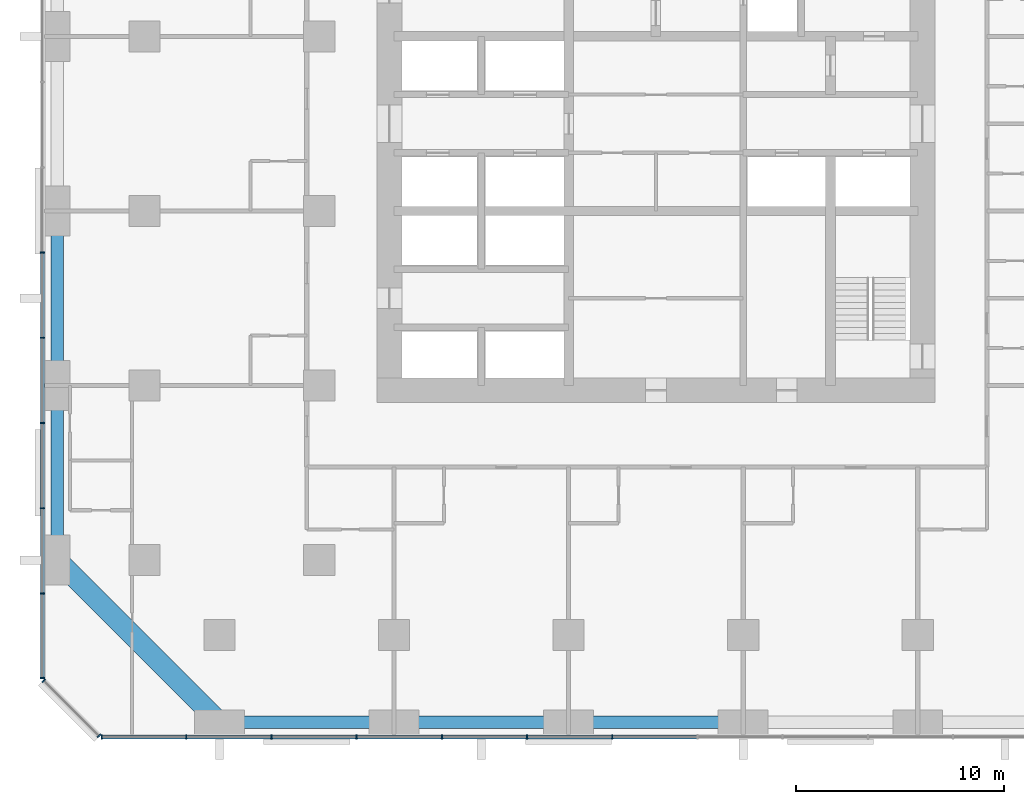
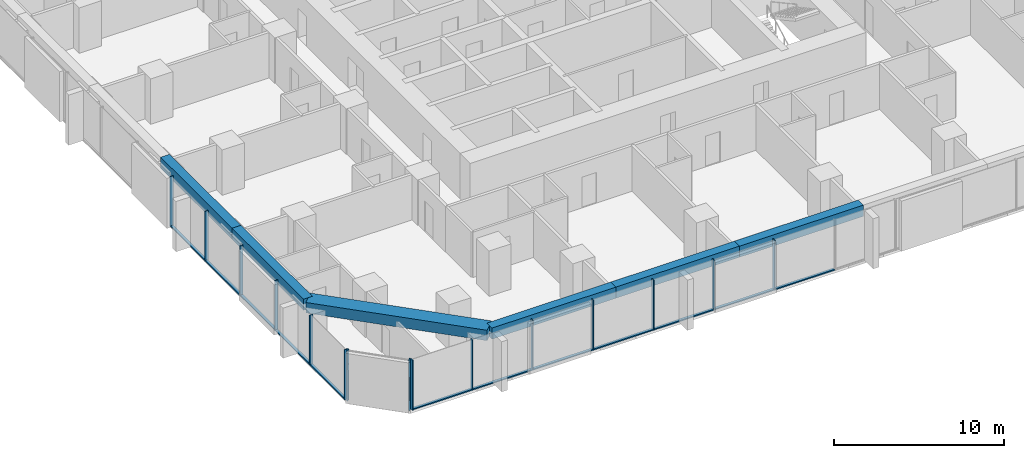
# One storey, part 2 of 13: 27 members, 6 beams, 3 elements without a shape of their own.
"""IFC4 building model written with IfcOpenShell, lengths in metres."""

from ifc_helpers import new_model, si_unit, direction, frame, origin, origin_2d, place, context, subcontext, project, spatial, rectangle, extrude, material, material_profile, profile_set, type_object, element, aggregate, save


model = new_model("IFC4")

# Units and contexts
model_context = context("Model", 3, precision=1e-05, world=origin(), true_north=direction((0.0, 1.0)))
body_context = subcontext(model_context, "Body", "Model", "MODEL_VIEW")
ifc_project = project(units=[si_unit("LENGTHUNIT", "METRE"), si_unit("AREAUNIT", "SQUARE_METRE"), si_unit("VOLUMEUNIT", "CUBIC_METRE"), si_unit("PLANEANGLEUNIT", "RADIAN"), si_unit("MASSUNIT", "GRAM", prefix="KILO")], contexts=[model_context])

# Site, building, storey
site_placement = place(None, origin())
site = spatial("IfcSite", under=ifc_project, at=site_placement, CompositionType="ELEMENT")
building_placement = place(site_placement, origin())
building = spatial("IfcBuilding", under=site, at=building_placement, Name="Dunama Terrace Hotel", CompositionType="ELEMENT")
storey_placement = place(building_placement, frame((0.0, 0.0, 111.60009765625)))
storey = spatial("IfcBuildingStorey", under=building, at=storey_placement, Name="L28", CompositionType="ELEMENT", Elevation=111.60009765625)

# Curtain wall, members
ifc_material_1 = material(Name="Aluminium curtain wall system", Category="aluminium")
curtain_wall_type = type_object("IfcCurtainWallType", Name="Unitised fritted glass wall CW-B", PredefinedType="NOTDEFINED", material=ifc_material_1)
curtain_wall_1_placement = place(storey_placement, origin())
curtain_wall_1 = element("IfcCurtainWall", 1, at=curtain_wall_1_placement, inside=storey, type_object=curtain_wall_type, Name="Unitised fritted glass wall CW-B L28", PredefinedType="NOTDEFINED")
ifc_material_2 = material(Name="Aluminium mullion", Category="aluminium")
ifc_material_profile_1 = material_profile(ifc_material_2, rectangle(XDim=0.06494140625, YDim=0.219970703125, at=origin_2d()), Name="CWB MULLION 65X220")
ifc_profile_set_1 = profile_set([ifc_material_profile_1], Name="Aluminium mullion")
member_type_1 = type_object("IfcMemberType", Name="CWB mullion 65x220", PredefinedType="MULLION", material=ifc_profile_set_1)
member_1_placement = place(storey_placement, frame((2.73291015625, -0.110107421875, 0.0), z_axis=(0.0, 0.0, 1.0), x_axis=(1.0, 0.0, 0.0)))
member_1 = element("IfcMember", 2, at=member_1_placement, type_object=member_type_1, Name="CWB mullion", PredefinedType="MULLION", context=body_context, shape_type="SweptSolid", body=[
    extrude(rectangle(XDim=0.06494140625, YDim=0.219970703125, at=origin_2d()), origin(), (0.0, 0.0, 1.0), 3.599853515625),
])
member_2_placement = place(storey_placement, frame((6.800048828125, -0.110107421875, 0.0), z_axis=(0.0, 0.0, 1.0), x_axis=(1.0, 0.0, 0.0)))
member_2 = element("IfcMember", 3, at=member_2_placement, type_object=member_type_1, Name="CWB mullion", PredefinedType="MULLION", context=body_context, shape_type="SweptSolid", body=[
    extrude(rectangle(XDim=0.06494140625, YDim=0.219970703125, at=origin_2d()), origin(), (0.0, 0.0, 1.0), 3.599853515625),
])
member_3_placement = place(storey_placement, frame((10.89990234375, -0.110107421875, 0.0), z_axis=(0.0, 0.0, 1.0), x_axis=(1.0, 0.0, 0.0)))
member_3 = element("IfcMember", 4, at=member_3_placement, type_object=member_type_1, Name="CWB mullion", PredefinedType="MULLION", context=body_context, shape_type="SweptSolid", body=[
    extrude(rectangle(XDim=0.06494140625, YDim=0.219970703125, at=origin_2d()), origin(), (0.0, 0.0, 1.0), 3.599853515625),
])
member_4_placement = place(storey_placement, frame((15.0, -0.110107421875, 0.0), z_axis=(0.0, 0.0, 1.0), x_axis=(1.0, 0.0, 0.0)))
member_4 = element("IfcMember", 5, at=member_4_placement, type_object=member_type_1, Name="CWB mullion", PredefinedType="MULLION", context=body_context, shape_type="SweptSolid", body=[
    extrude(rectangle(XDim=0.06494140625, YDim=0.219970703125, at=origin_2d()), origin(), (0.0, 0.0, 1.0), 3.599853515625),
])
member_5_placement = place(storey_placement, frame((19.10009765625, -0.110107421875, 0.0), z_axis=(0.0, 0.0, 1.0), x_axis=(1.0, 0.0, 0.0)))
member_5 = element("IfcMember", 6, at=member_5_placement, type_object=member_type_1, Name="CWB mullion", PredefinedType="MULLION", context=body_context, shape_type="SweptSolid", body=[
    extrude(rectangle(XDim=0.06494140625, YDim=0.219970703125, at=origin_2d()), origin(), (0.0, 0.0, 1.0), 3.599853515625),
])
member_6_placement = place(storey_placement, frame((23.199951171875, -0.110107421875, 0.0), z_axis=(0.0, 0.0, 1.0), x_axis=(1.0, 0.0, 0.0)))
member_6 = element("IfcMember", 7, at=member_6_placement, type_object=member_type_1, Name="CWB mullion", PredefinedType="MULLION", context=body_context, shape_type="SweptSolid", body=[
    extrude(rectangle(XDim=0.06494140625, YDim=0.219970703125, at=origin_2d()), origin(), (0.0, 0.0, 1.0), 3.599853515625),
])
member_7_placement = place(storey_placement, frame((27.300048828125, -0.110107421875, 0.0), z_axis=(0.0, 0.0, 1.0), x_axis=(1.0, 0.0, 0.0)))
member_7 = element("IfcMember", 8, at=member_7_placement, type_object=member_type_1, Name="CWB mullion", PredefinedType="MULLION", context=body_context, shape_type="SweptSolid", body=[
    extrude(rectangle(XDim=0.06494140625, YDim=0.219970703125, at=origin_2d()), origin(), (0.0, 0.0, 1.0), 3.599853515625),
])

curtain_wall_2_placement = place(storey_placement, origin())
curtain_wall_2 = element("IfcCurtainWall", 9, at=curtain_wall_2_placement, inside=storey, type_object=curtain_wall_type, Name="Unitised fritted glass wall CW-B L28", PredefinedType="NOTDEFINED")
member_8_placement = place(storey_placement, frame((-0.110107421875, 23.199951171875, 0.0), z_axis=(0.0, 0.0, 1.0), x_axis=(0.0, -1.0, 0.0)))
member_8 = element("IfcMember", 10, at=member_8_placement, type_object=member_type_1, Name="CWB mullion", PredefinedType="MULLION", context=body_context, shape_type="SweptSolid", body=[
    extrude(rectangle(XDim=0.06494140625, YDim=0.219970703125, at=origin_2d()), origin(), (0.0, 0.0, 1.0), 3.599853515625),
])
member_9_placement = place(storey_placement, frame((-0.110107421875, 19.10009765625, 0.0), z_axis=(0.0, 0.0, 1.0), x_axis=(0.0, -1.0, 0.0)))
member_9 = element("IfcMember", 11, at=member_9_placement, type_object=member_type_1, Name="CWB mullion", PredefinedType="MULLION", context=body_context, shape_type="SweptSolid", body=[
    extrude(rectangle(XDim=0.06494140625, YDim=0.219970703125, at=origin_2d()), origin(), (0.0, 0.0, 1.0), 3.599853515625),
])
member_10_placement = place(storey_placement, frame((-0.110107421875, 15.0, 0.0), z_axis=(0.0, 0.0, 1.0), x_axis=(0.0, -1.0, 0.0)))
member_10 = element("IfcMember", 12, at=member_10_placement, type_object=member_type_1, Name="CWB mullion", PredefinedType="MULLION", context=body_context, shape_type="SweptSolid", body=[
    extrude(rectangle(XDim=0.06494140625, YDim=0.219970703125, at=origin_2d()), origin(), (0.0, 0.0, 1.0), 3.599853515625),
])
member_11_placement = place(storey_placement, frame((-0.110107421875, 10.89990234375, 0.0), z_axis=(0.0, 0.0, 1.0), x_axis=(0.0, -1.0, 0.0)))
member_11 = element("IfcMember", 13, at=member_11_placement, type_object=member_type_1, Name="CWB mullion", PredefinedType="MULLION", context=body_context, shape_type="SweptSolid", body=[
    extrude(rectangle(XDim=0.06494140625, YDim=0.219970703125, at=origin_2d()), origin(), (0.0, 0.0, 1.0), 3.599853515625),
])
member_12_placement = place(storey_placement, frame((-0.110107421875, 6.800048828125, 0.0), z_axis=(0.0, 0.0, 1.0), x_axis=(0.0, -1.0, 0.0)))
member_12 = element("IfcMember", 14, at=member_12_placement, type_object=member_type_1, Name="CWB mullion", PredefinedType="MULLION", context=body_context, shape_type="SweptSolid", body=[
    extrude(rectangle(XDim=0.06494140625, YDim=0.219970703125, at=origin_2d()), origin(), (0.0, 0.0, 1.0), 3.599853515625),
])
member_13_placement = place(storey_placement, frame((-0.110107421875, 2.73291015625, 0.0), z_axis=(0.0, 0.0, 1.0), x_axis=(0.0, -1.0, 0.0)))
member_13 = element("IfcMember", 15, at=member_13_placement, type_object=member_type_1, Name="CWB mullion", PredefinedType="MULLION", context=body_context, shape_type="SweptSolid", body=[
    extrude(rectangle(XDim=0.06494140625, YDim=0.219970703125, at=origin_2d()), origin(), (0.0, 0.0, 1.0), 3.599853515625),
])

curtain_wall_3_placement = place(storey_placement, origin())
curtain_wall_3 = element("IfcCurtainWall", 16, at=curtain_wall_3_placement, inside=storey, type_object=curtain_wall_type, Name="Unitised fritted glass wall CW-B L28", PredefinedType="NOTDEFINED")
member_14_placement = place(storey_placement, frame((-0.054931640625, 2.59912109375, 0.0), z_axis=(0.0, 0.0, 1.0), x_axis=(0.707106781187, -0.707106781187, 0.0)))
member_14 = element("IfcMember", 17, at=member_14_placement, type_object=member_type_1, Name="CWB mullion", PredefinedType="MULLION", context=body_context, shape_type="SweptSolid", body=[
    extrude(rectangle(XDim=0.06494140625, YDim=0.219970703125, at=origin_2d()), origin(), (0.0, 0.0, 1.0), 3.599853515625),
])
member_15_placement = place(storey_placement, frame((2.59912109375, -0.054931640625, 0.0), z_axis=(0.0, 0.0, 1.0), x_axis=(0.707106781187, -0.707106781187, 0.0)))
member_15 = element("IfcMember", 18, at=member_15_placement, type_object=member_type_1, Name="CWB mullion", PredefinedType="MULLION", context=body_context, shape_type="SweptSolid", body=[
    extrude(rectangle(XDim=0.06494140625, YDim=0.219970703125, at=origin_2d()), origin(), (0.0, 0.0, 1.0), 3.599853515625),
])
aggregate(curtain_wall_3, [member_14, member_15])

# Member
ifc_material_3 = material(Name="Aluminium transom", Category="aluminium")
ifc_material_profile_2 = material_profile(ifc_material_3, rectangle(XDim=0.179931640625, YDim=0.080078125, at=origin_2d()), Name="CWB TRANSOM 180X80")
ifc_profile_set_2 = profile_set([ifc_material_profile_2], Name="Aluminium transom")
member_type_2 = type_object("IfcMemberType", Name="CWB transom 180x80", PredefinedType="USERDEFINED", material=ifc_profile_set_2)
member_16_placement = place(storey_placement, frame((2.764892578125, -0.110107421875, 0.039794921875), z_axis=(1.0, 0.0, 0.0), x_axis=(0.0, 1.0, 0.0)))
member_16 = element("IfcMember", 19, at=member_16_placement, type_object=member_type_2, Name="CWB transom", ObjectType="TRANSOM", PredefinedType="USERDEFINED", context=body_context, shape_type="SweptSolid", body=[
    extrude(rectangle(XDim=0.179931640625, YDim=0.080078125, at=origin_2d()), origin(), (0.0, 0.0, 1.0), 4.003173828125),
])

member_17_placement = place(storey_placement, frame((6.83203125, -0.110107421875, 0.039794921875), z_axis=(1.0, 0.0, 0.0), x_axis=(0.0, 1.0, 0.0)))
member_17 = element("IfcMember", 20, at=member_17_placement, type_object=member_type_2, Name="CWB transom", ObjectType="TRANSOM", PredefinedType="USERDEFINED", context=body_context, shape_type="SweptSolid", body=[
    extrude(rectangle(XDim=0.179931640625, YDim=0.080078125, at=origin_2d()), origin(), (0.0, 0.0, 1.0), 4.034912109375),
])

member_18_placement = place(storey_placement, frame((10.93310546875, -0.110107421875, 0.039794921875), z_axis=(1.0, 0.0, 0.0), x_axis=(0.0, 1.0, 0.0)))
member_18 = element("IfcMember", 21, at=member_18_placement, type_object=member_type_2, Name="CWB transom", ObjectType="TRANSOM", PredefinedType="USERDEFINED", context=body_context, shape_type="SweptSolid", body=[
    extrude(rectangle(XDim=0.179931640625, YDim=0.080078125, at=origin_2d()), origin(), (0.0, 0.0, 1.0), 4.033935546875),
])

member_19_placement = place(storey_placement, frame((15.031982421875, -0.110107421875, 0.039794921875), z_axis=(1.0, 0.0, 0.0), x_axis=(0.0, 1.0, 0.0)))
member_19 = element("IfcMember", 22, at=member_19_placement, type_object=member_type_2, Name="CWB transom", ObjectType="TRANSOM", PredefinedType="USERDEFINED", context=body_context, shape_type="SweptSolid", body=[
    extrude(rectangle(XDim=0.179931640625, YDim=0.080078125, at=origin_2d()), origin(), (0.0, 0.0, 1.0), 4.034912109375),
])

member_20_placement = place(storey_placement, frame((19.132080078125, -0.110107421875, 0.039794921875), z_axis=(1.0, 0.0, 0.0), x_axis=(0.0, 1.0, 0.0)))
member_20 = element("IfcMember", 23, at=member_20_placement, type_object=member_type_2, Name="CWB transom", ObjectType="TRANSOM", PredefinedType="USERDEFINED", context=body_context, shape_type="SweptSolid", body=[
    extrude(rectangle(XDim=0.179931640625, YDim=0.080078125, at=origin_2d()), origin(), (0.0, 0.0, 1.0), 4.035888671875),
])

member_21_placement = place(storey_placement, frame((23.23193359375, -0.110107421875, 0.039794921875), z_axis=(1.0, 0.0, 0.0), x_axis=(0.0, 1.0, 0.0)))
member_21 = element("IfcMember", 24, at=member_21_placement, type_object=member_type_2, Name="CWB transom", ObjectType="TRANSOM", PredefinedType="USERDEFINED", context=body_context, shape_type="SweptSolid", body=[
    extrude(rectangle(XDim=0.179931640625, YDim=0.080078125, at=origin_2d()), origin(), (0.0, 0.0, 1.0), 4.03515625),
])

member_22_placement = place(storey_placement, frame((27.33203125, -0.110107421875, 0.039794921875), z_axis=(1.0, 0.0, 0.0), x_axis=(0.0, 1.0, 0.0)))
member_22 = element("IfcMember", 25, at=member_22_placement, type_object=member_type_2, Name="CWB transom", ObjectType="TRANSOM", PredefinedType="USERDEFINED", context=body_context, shape_type="SweptSolid", body=[
    extrude(rectangle(XDim=0.179931640625, YDim=0.080078125, at=origin_2d()), origin(), (0.0, 0.0, 1.0), 4.034912109375),
])

aggregate(curtain_wall_1, [member_1, member_2, member_3, member_4, member_5, member_6, member_7, member_16, member_17, member_18, member_19, member_20, member_21, member_22])

member_23_placement = place(storey_placement, frame((-0.110107421875, 23.16796875, 0.039794921875), z_axis=(0.0, -1.0, 0.0), x_axis=(1.0, 0.0, 0.0)))
member_23 = element("IfcMember", 26, at=member_23_placement, type_object=member_type_2, Name="CWB transom", ObjectType="TRANSOM", PredefinedType="USERDEFINED", context=body_context, shape_type="SweptSolid", body=[
    extrude(rectangle(XDim=0.179931640625, YDim=0.080078125, at=origin_2d()), origin(), (0.0, 0.0, 1.0), 4.034912109375),
])

member_24_placement = place(storey_placement, frame((-0.110107421875, 19.068115234375, 0.039794921875), z_axis=(0.0, -1.0, 0.0), x_axis=(1.0, 0.0, 0.0)))
member_24 = element("IfcMember", 27, at=member_24_placement, type_object=member_type_2, Name="CWB transom", ObjectType="TRANSOM", PredefinedType="USERDEFINED", context=body_context, shape_type="SweptSolid", body=[
    extrude(rectangle(XDim=0.179931640625, YDim=0.080078125, at=origin_2d()), origin(), (0.0, 0.0, 1.0), 4.0361328125),
])

member_25_placement = place(storey_placement, frame((-0.110107421875, 14.968017578125, 0.039794921875), z_axis=(0.0, -1.0, 0.0), x_axis=(1.0, 0.0, 0.0)))
member_25 = element("IfcMember", 28, at=member_25_placement, type_object=member_type_2, Name="CWB transom", ObjectType="TRANSOM", PredefinedType="USERDEFINED", context=body_context, shape_type="SweptSolid", body=[
    extrude(rectangle(XDim=0.179931640625, YDim=0.080078125, at=origin_2d()), origin(), (0.0, 0.0, 1.0), 4.0361328125),
])

member_26_placement = place(storey_placement, frame((-0.110107421875, 10.866943359375, 0.039794921875), z_axis=(0.0, -1.0, 0.0), x_axis=(1.0, 0.0, 0.0)))
member_26 = element("IfcMember", 29, at=member_26_placement, type_object=member_type_2, Name="CWB transom", ObjectType="TRANSOM", PredefinedType="USERDEFINED", context=body_context, shape_type="SweptSolid", body=[
    extrude(rectangle(XDim=0.179931640625, YDim=0.080078125, at=origin_2d()), origin(), (0.0, 0.0, 1.0), 4.033935546875),
])

member_27_placement = place(storey_placement, frame((-0.110107421875, 6.76806640625, 0.039794921875), z_axis=(0.0, -1.0, 0.0), x_axis=(1.0, 0.0, 0.0)))
member_27 = element("IfcMember", 30, at=member_27_placement, type_object=member_type_2, Name="CWB transom", ObjectType="TRANSOM", PredefinedType="USERDEFINED", context=body_context, shape_type="SweptSolid", body=[
    extrude(rectangle(XDim=0.179931640625, YDim=0.080078125, at=origin_2d()), origin(), (0.0, 0.0, 1.0), 4.003173828125),
])

aggregate(curtain_wall_2, [member_8, member_9, member_10, member_11, member_12, member_13, member_23, member_24, member_25, member_26, member_27])

# Beams
ifc_material_4 = material(Name="Concrete C50/60", Category="concrete")
ifc_material_profile_3 = material_profile(ifc_material_4, rectangle(XDim=1.0, YDim=0.75, at=origin_2d()), Name="RC 1000x750")
ifc_profile_set_3 = profile_set([ifc_material_profile_3], Name="Concrete C50/60")
beam_type_1 = type_object("IfcBeamType", Name="Edge beam RC 1000x750", PredefinedType="SPANDREL", material=ifc_profile_set_3)
beam_1_placement = place(storey_placement, frame((8.39990234375, 0.60009765625, 3.224853515625), z_axis=(-0.707106781187, 0.707106781187, 0.0), x_axis=(-0.707106781187, -0.707106781187, 0.0)))
element("IfcBeam", 31, at=beam_1_placement, inside=storey, type_object=beam_type_1, Name="Corner edge beam under L29", PredefinedType="SPANDREL", context=body_context, shape_type="SweptSolid", body=[
    extrude(rectangle(XDim=1.0, YDim=0.75, at=origin_2d()), origin(), (0.0, 0.0, 1.0), 11.030517578125),
])
ifc_material_5 = material(Name="Concrete C40/50", Category="concrete")
ifc_material_profile_4 = material_profile(ifc_material_5, rectangle(XDim=0.60009765625, YDim=0.800048828125, at=origin_2d()), Name="RC 600x800")
ifc_profile_set_4 = profile_set([ifc_material_profile_4], Name="Concrete C40/50")
beam_type_2 = type_object("IfcBeamType", Name="Edge beam RC 600x800", PredefinedType="SPANDREL", material=ifc_profile_set_4)
beam_2_placement = place(storey_placement, frame((0.60009765625, 8.39990234375, 3.199951171875), z_axis=(0.0, 1.0, 0.0), x_axis=(-1.0, 0.0, 0.0)))
element("IfcBeam", 32, at=beam_2_placement, inside=storey, type_object=beam_type_2, Name="Edge beam under L29", PredefinedType="SPANDREL", context=body_context, shape_type="SweptSolid", body=[
    extrude(rectangle(XDim=0.60009765625, YDim=0.800048828125, at=origin_2d()), origin(), (0.0, 0.0, 1.0), 8.400146484375),
])
beam_3_placement = place(storey_placement, frame((0.60009765625, 16.800048828125, 3.199951171875), z_axis=(0.0, 1.0, 0.0), x_axis=(-1.0, 0.0, 0.0)))
element("IfcBeam", 33, at=beam_3_placement, inside=storey, type_object=beam_type_2, Name="Edge beam under L29", PredefinedType="SPANDREL", context=body_context, shape_type="SweptSolid", body=[
    extrude(rectangle(XDim=0.60009765625, YDim=0.800048828125, at=origin_2d()), origin(), (0.0, 0.0, 1.0), 8.39990234375),
])
beam_4_placement = place(storey_placement, frame((8.39990234375, 0.60009765625, 3.199951171875), z_axis=(1.0, 0.0, 0.0), x_axis=(0.0, 1.0, 0.0)))
element("IfcBeam", 34, at=beam_4_placement, inside=storey, type_object=beam_type_2, Name="Edge beam under L29", PredefinedType="SPANDREL", context=body_context, shape_type="SweptSolid", body=[
    extrude(rectangle(XDim=0.60009765625, YDim=0.800048828125, at=origin_2d()), origin(), (0.0, 0.0, 1.0), 8.400146484375),
])
beam_5_placement = place(storey_placement, frame((16.800048828125, 0.60009765625, 3.199951171875), z_axis=(1.0, 0.0, 0.0), x_axis=(0.0, 1.0, 0.0)))
element("IfcBeam", 35, at=beam_5_placement, inside=storey, type_object=beam_type_2, Name="Edge beam under L29", PredefinedType="SPANDREL", context=body_context, shape_type="SweptSolid", body=[
    extrude(rectangle(XDim=0.60009765625, YDim=0.800048828125, at=origin_2d()), origin(), (0.0, 0.0, 1.0), 8.39990234375),
])
beam_6_placement = place(storey_placement, frame((25.199951171875, 0.60009765625, 3.199951171875), z_axis=(1.0, 0.0, 0.0), x_axis=(0.0, 1.0, 0.0)))
element("IfcBeam", 36, at=beam_6_placement, inside=storey, type_object=beam_type_2, Name="Edge beam under L29", PredefinedType="SPANDREL", context=body_context, shape_type="SweptSolid", body=[
    extrude(rectangle(XDim=0.60009765625, YDim=0.800048828125, at=origin_2d()), origin(), (0.0, 0.0, 1.0), 8.400146484375),
])

save(model, "model.ifc")
